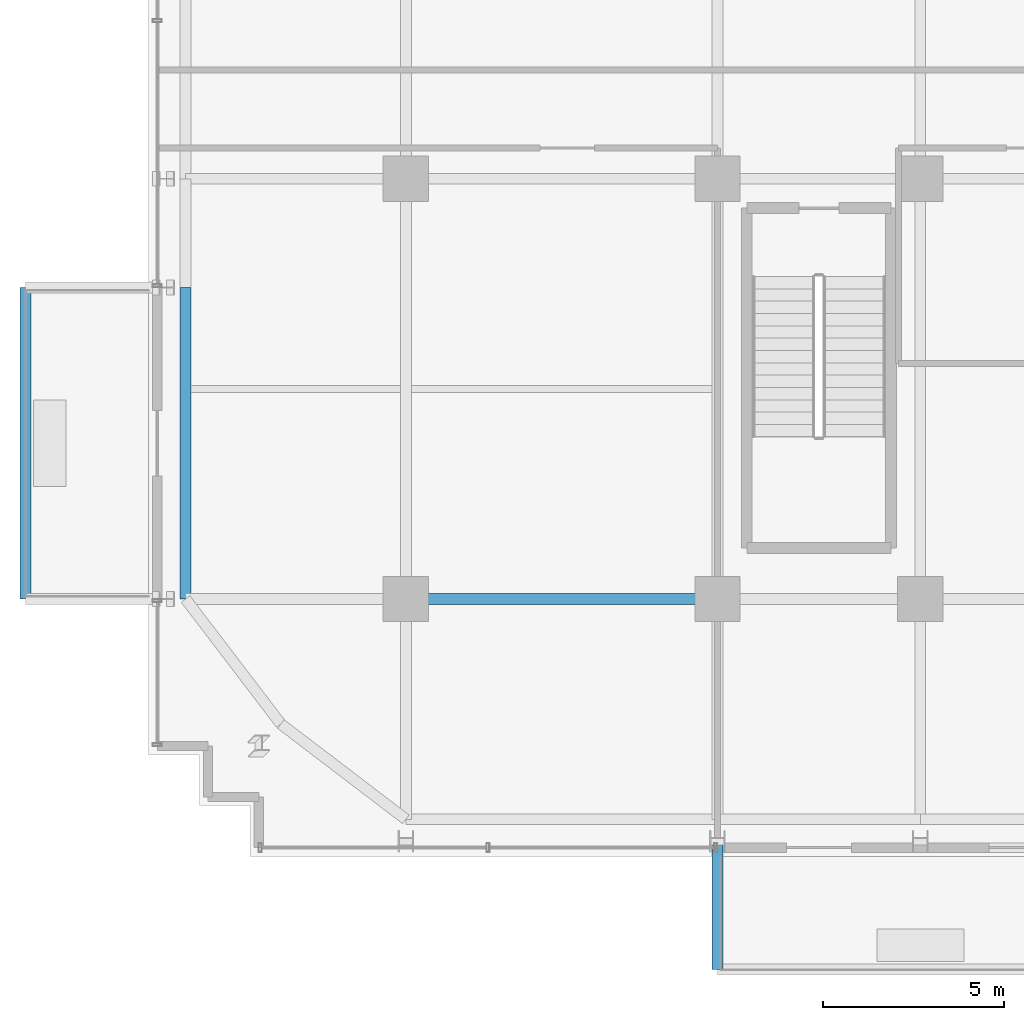
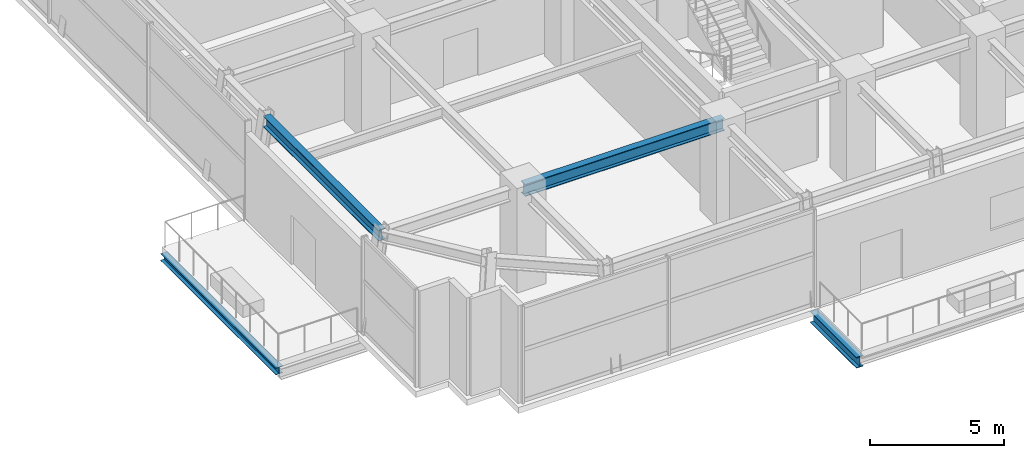
# One storey, part 3 of 26: 4 beams.
"""IFC4 building model written with IfcOpenShell, lengths in metres."""

from ifc_helpers import new_model, si_unit, direction, frame, origin, origin_2d, place, context, subcontext, project, spatial, i_section, extrude, source, transform, mapped, material, material_profile, profile_set, type_object, element, save


model = new_model("IFC4")

# Units and contexts
model_context = context("Model", 3, precision=1e-05, world=origin(), true_north=direction((0.0, 1.0)))
body_context = subcontext(model_context, "Body", "Model", "MODEL_VIEW")
ifc_project = project(units=[si_unit("LENGTHUNIT", "METRE"), si_unit("AREAUNIT", "SQUARE_METRE"), si_unit("VOLUMEUNIT", "CUBIC_METRE"), si_unit("PLANEANGLEUNIT", "RADIAN"), si_unit("MASSUNIT", "GRAM", prefix="KILO")], contexts=[model_context])

# Site, building, storey
site_placement = place(None, origin())
site = spatial("IfcSite", under=ifc_project, at=site_placement, CompositionType="ELEMENT")
building_placement = place(site_placement, origin())
building = spatial("IfcBuilding", under=site, at=building_placement, Name="Nahalor Promenade Grand Hotel", CompositionType="ELEMENT")
storey_placement = place(building_placement, frame((0.0, 0.0, 139.39990234375)))
storey = spatial("IfcBuildingStorey", under=building, at=storey_placement, Name="L35", CompositionType="ELEMENT", Elevation=139.39990234375)

# Beams
ifc_material = material(Name="Steel S355JR", Category="steel")
ifc_material_profile_1 = material_profile(ifc_material, i_section(OverallWidth=0.3, OverallDepth=0.32, WebThickness=0.0115, FlangeThickness=0.0205, at=origin_2d()), Name="HEB 320")
ifc_profile_set_1 = profile_set([ifc_material_profile_1], Name="Steel S355JR")
beam_type_1 = type_object("IfcBeamType", Name="Beam-BalcEdge-HEB320", PredefinedType="SPANDREL", material=ifc_profile_set_1)
shared_shape_1 = source(origin(), body_context, "Body", "SweptSolid", [
    extrude(i_section(OverallWidth=0.3, OverallDepth=0.32, WebThickness=0.0115, FlangeThickness=0.0205, at=origin_2d()), origin(), (0.0, 0.0, 1.0), 8.60009765625),
])
beam_1_placement = place(storey_placement, frame((-27.5, -17.0, -0.43994140625), z_axis=(0.0, 1.0, 0.0), x_axis=(-1.0, 0.0, 0.0)))
element("IfcBeam", 1, at=beam_1_placement, inside=storey, type_object=beam_type_1, Name="BM-L35-BC-02-F", PredefinedType="SPANDREL", context=body_context, shape_type="MappedRepresentation", body=[
    mapped(shared_shape_1, transform((0.0, 0.0, 0.0), scale=1.0)),
])
ifc_material_profile_2 = material_profile(ifc_material, i_section(OverallWidth=0.3, OverallDepth=0.5, WebThickness=0.0145, FlangeThickness=0.028, at=origin_2d()), Name="HEB 500")
ifc_profile_set_2 = profile_set([ifc_material_profile_2], Name="Steel S355JR")
beam_type_2 = type_object("IfcBeamType", Name="Beam-Outrigger-HEB500", PredefinedType="BEAM", material=ifc_profile_set_2)
shared_shape_2 = source(origin(), body_context, "Body", "SweptSolid", [
    extrude(i_section(OverallWidth=0.3, OverallDepth=0.5, WebThickness=0.0145, FlangeThickness=0.028, at=origin_2d()), origin(), (0.0, 0.0, 1.0), 3.449951171875),
])
beam_2_placement = place(storey_placement, frame((-8.39990234375, -27.22998046875, -0.52978515625), z_axis=(0.0, 1.0, 0.0), x_axis=(-1.0, 0.0, 0.0)))
element("IfcBeam", 2, at=beam_2_placement, inside=storey, type_object=beam_type_2, Name="BM-L35-BC-01-1", PredefinedType="BEAM", context=body_context, shape_type="MappedRepresentation", body=[
    mapped(shared_shape_2, transform((0.0, 0.0, 0.0), scale=1.0)),
])
ifc_material_profile_3 = material_profile(ifc_material, i_section(OverallWidth=0.3, OverallDepth=0.5, WebThickness=0.0145, FlangeThickness=0.028, at=origin_2d()), Name="HEB 500")
ifc_profile_set_3 = profile_set([ifc_material_profile_3], Name="Steel S355JR")
beam_type_3 = type_object("IfcBeamType", Name="Beam-Spandrel-HEB500", PredefinedType="SPANDREL", material=ifc_profile_set_3)
shared_shape_3 = source(origin(), body_context, "Body", "SweptSolid", [
    extrude(i_section(OverallWidth=0.3, OverallDepth=0.5, WebThickness=0.0145, FlangeThickness=0.028, at=origin_2d()), origin(), (0.0, 0.0, 1.0), 8.60009765625),
])
beam_3_placement = place(storey_placement, frame((-23.080078125, -17.0, 4.190185546875), z_axis=(0.0, 1.0, 0.0), x_axis=(-1.0, 0.0, 0.0)))
element("IfcBeam", 3, at=beam_3_placement, inside=storey, type_object=beam_type_3, Name="BM-L35-SP-W-0", PredefinedType="SPANDREL", context=body_context, shape_type="MappedRepresentation", body=[
    mapped(shared_shape_3, transform((0.0, 0.0, 0.0), scale=1.0)),
])
ifc_material_profile_4 = material_profile(ifc_material, i_section(OverallWidth=0.3, OverallDepth=0.55, WebThickness=0.015, FlangeThickness=0.029, at=origin_2d()), Name="HEB 550")
ifc_profile_set_4 = profile_set([ifc_material_profile_4], Name="Steel S355JR")
beam_type_4 = type_object("IfcBeamType", Name="Beam-Girder-HEB550", PredefinedType="BEAM", material=ifc_profile_set_4)
shared_shape_4 = source(origin(), body_context, "Body", "SweptSolid", [
    extrude(i_section(OverallWidth=0.3, OverallDepth=0.55, WebThickness=0.015, FlangeThickness=0.029, at=origin_2d()), origin(), (0.0, 0.0, 1.0), 8.60009765625),
])
beam_4_placement = place(storey_placement, frame((-17.0, -17.0, 4.1650390625), z_axis=(1.0, 0.0, 0.0), x_axis=(0.0, 1.0, 0.0)))
element("IfcBeam", 4, at=beam_4_placement, inside=storey, type_object=beam_type_4, Name="BM-L35-GX-0-1", PredefinedType="BEAM", context=body_context, shape_type="MappedRepresentation", body=[
    mapped(shared_shape_4, transform((0.0, 0.0, 0.0), scale=1.0)),
])

save(model, "model.ifc")
